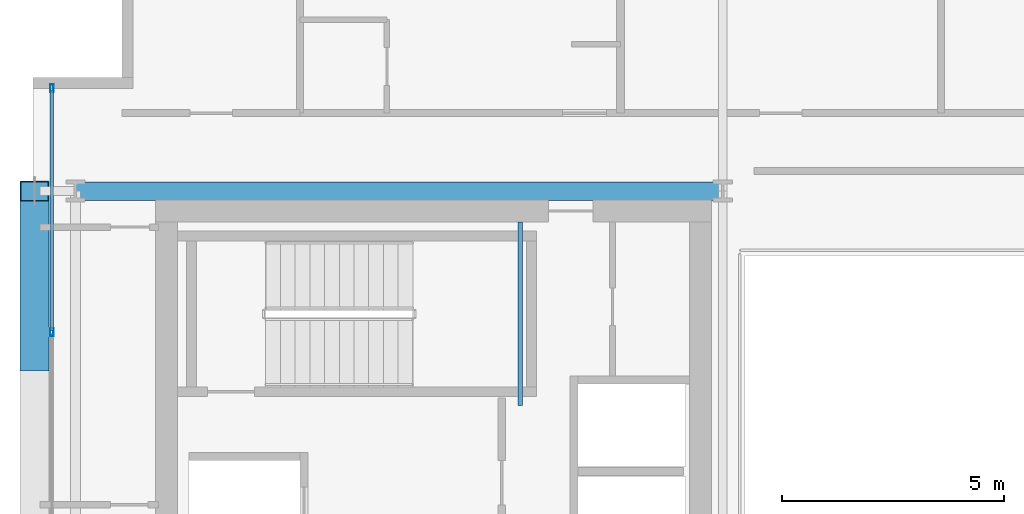
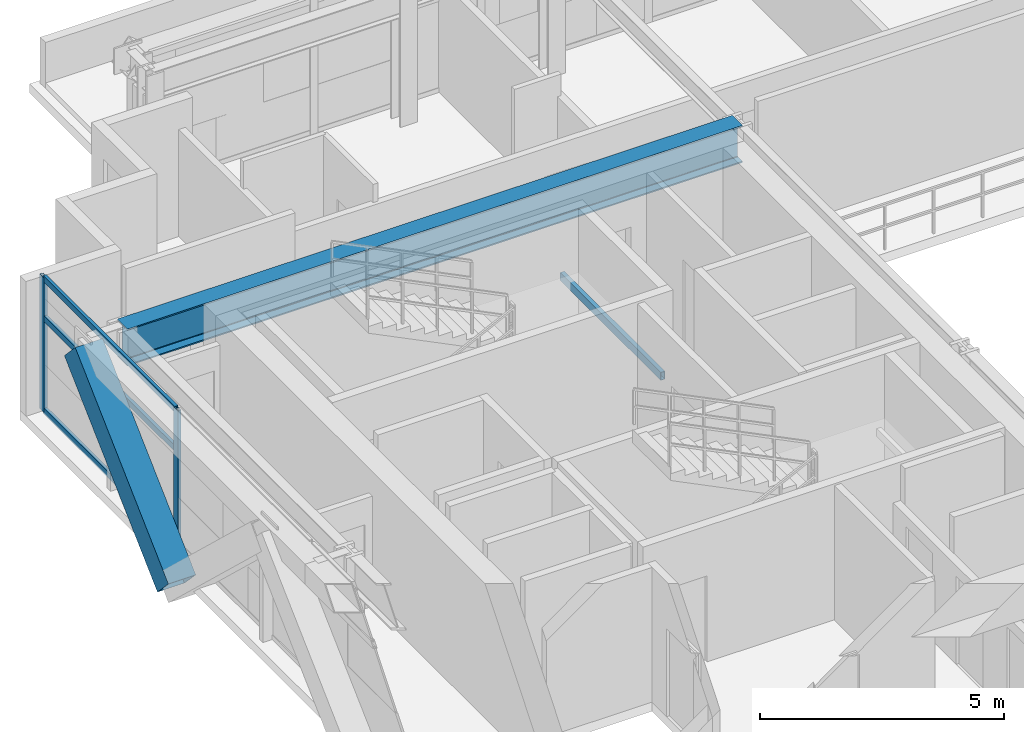
# One storey, part 16 of 34: 6 members, 2 beams, 1 element without a shape of its own.
"""IFC4 building model written with IfcOpenShell, lengths in metres."""

from ifc_helpers import new_model, si_unit, direction, frame, origin, origin_2d, place, context, subcontext, project, spatial, hollow_rectangle, i_section, extrude, source, transform, mapped, material, layer, layer_set, material_profile, profile_set, type_object, element, aggregate, save


model = new_model("IFC4")

# Units and contexts
model_context = context("Model", 3, precision=1e-05, world=origin(), true_north=direction((0.0, 1.0)))
body_context = subcontext(model_context, "Body", "Model", "MODEL_VIEW")
ifc_project = project(units=[si_unit("LENGTHUNIT", "METRE"), si_unit("AREAUNIT", "SQUARE_METRE"), si_unit("VOLUMEUNIT", "CUBIC_METRE"), si_unit("PLANEANGLEUNIT", "RADIAN"), si_unit("MASSUNIT", "GRAM", prefix="KILO")], contexts=[model_context])

# Site, building, storey
site_placement = place(None, origin())
site = spatial("IfcSite", under=ifc_project, at=site_placement, CompositionType="ELEMENT")
building_placement = place(site_placement, origin())
building = spatial("IfcBuilding", under=site, at=building_placement, Name="Ocotamira Hotel", CompositionType="ELEMENT")
storey_placement = place(building_placement, frame((0.0, 0.0, 163.199951171875)))
storey = spatial("IfcBuildingStorey", under=building, at=storey_placement, Name="L40", CompositionType="ELEMENT", Elevation=163.199951171875)

# Beams
ifc_material_1 = material(Name="Steel ASTM A500 Grade C", Category="steel")
ifc_material_profile_1 = material_profile(ifc_material_1, hollow_rectangle(XDim=0.10009765625, YDim=0.199951171875, WallThickness=0.008056640625, at=origin_2d()), Name="HSS200X100X8")
ifc_profile_set_1 = profile_set([ifc_material_profile_1], Name="Steel ASTM A500 Grade C")
beam_type_1 = type_object("IfcBeamType", Name="BM-STLDG-HSS200", PredefinedType="BEAM", material=ifc_profile_set_1)
shared_shape_1 = source(origin(), body_context, "Body", "SweptSolid", [
    extrude(hollow_rectangle(XDim=0.10009765625, YDim=0.199951171875, WallThickness=0.008056640625, at=origin_2d()), origin(), (0.0, 0.0, 1.0), 4.1201171875),
])
beam_1_placement = place(storey_placement, frame((18.949951171875, 32.6298828125, 1.5), z_axis=(0.0, 1.0, 0.0), x_axis=(-1.0, 0.0, 0.0)))
element("IfcBeam", 1, at=beam_1_placement, inside=storey, type_object=beam_type_1, Name="L40 Stair ST-2 Landing Bearer 1", PredefinedType="BEAM", context=body_context, shape_type="MappedRepresentation", body=[
    mapped(shared_shape_1, transform((0.0, 0.0, 0.0), scale=1.0)),
])
ifc_material_2 = material(Name="Steel ASTM A992 Grade 50", Category="steel")
ifc_material_profile_2 = material_profile(ifc_material_2, i_section(OverallWidth=0.41796875, OverallDepth=0.927001953125, WebThickness=0.019287109375, FlangeThickness=0.031982421875, FilletRadius=0.02392578125, at=origin_2d()), Name="W36X231")
ifc_profile_set_2 = profile_set([ifc_material_profile_2], Name="Steel ASTM A992 Grade 50")
beam_type_2 = type_object("IfcBeamType", Name="BM-GIRD-W36X231", PredefinedType="BEAM", material=ifc_profile_set_2)
shared_shape_2 = source(origin(), body_context, "Body", "SweptSolid", [
    extrude(i_section(OverallWidth=0.41796875, OverallDepth=0.927001953125, WebThickness=0.019287109375, FlangeThickness=0.031982421875, FilletRadius=0.02392578125, at=origin_2d()), origin(), (0.0, 0.0, 1.0), 14.550048828125),
])
beam_2_placement = place(storey_placement, frame((8.949951171875, 37.449951171875, 2.906494140625), z_axis=(1.0, 0.0, 0.0), x_axis=(0.0, 1.0, 0.0)))
element("IfcBeam", 2, at=beam_2_placement, inside=storey, type_object=beam_type_2, Name="L40 Girder Y37.45 X8.95-23.5", PredefinedType="BEAM", context=body_context, shape_type="MappedRepresentation", body=[
    mapped(shared_shape_2, transform((0.0, 0.0, 0.0), scale=1.0)),
])

# Member
ifc_material_3 = material(Name="Pale-metal coated steel ASTM A913 Grade 65", Category="steel")
ifc_material_profile_3 = material_profile(ifc_material_3, hollow_rectangle(XDim=0.64990234375, YDim=0.64990234375, WallThickness=0.02197265625, at=origin_2d()), Name="BOX650X650X22")
ifc_profile_set_3 = profile_set([ifc_material_profile_3], Name="Pale-metal coated steel ASTM A913 Grade 65")
member_type_1 = type_object("IfcMemberType", Name="MEM-EXO-BOX650", PredefinedType="BRACE", material=ifc_profile_set_3)
shared_shape_3 = source(origin(), body_context, "Body", "SweptSolid", [
    extrude(hollow_rectangle(XDim=0.64990234375, YDim=0.64990234375, WallThickness=0.02197265625, at=origin_2d()), origin(), (0.0, 0.0, 1.0), 5.24658203125),
])
member_1_placement = place(storey_placement, frame((8.030029296875, 33.63330078125, -0.47998046875), z_axis=(0.0, 0.727442733726, 0.686168397078), x_axis=(-1.0, 0.0, 0.0)))
element("IfcMember", 3, at=member_1_placement, inside=storey, type_object=member_type_1, Name="L40 Exoskeleton Diagrid W2.2", PredefinedType="BRACE", context=body_context, shape_type="MappedRepresentation", body=[
    mapped(shared_shape_3, transform((0.0, 0.0, 0.0), scale=1.0)),
])

# Curtain wall, members
ifc_material_4 = material(Name="Anodised pale-metal aluminium and solar glass", Category="aluminium")
ifc_layer = layer(ifc_material_4, 0.199951171875)
ifc_layer_set = layer_set([ifc_layer], Name="Anodised pale-metal aluminium and solar glass")
curtain_wall_type = type_object("IfcCurtainWallType", Name="CW-SYS4-Z3", PredefinedType="NOTDEFINED", material=ifc_layer_set)
curtain_wall_placement = place(storey_placement, origin())
curtain_wall = element("IfcCurtainWall", 4, at=curtain_wall_placement, inside=storey, type_object=curtain_wall_type, Name="L40 Curtain Wall CW-4 CW-L40-W", PredefinedType="NOTDEFINED")
ifc_material_5 = material(Name="Anodised pale-metal aluminium 6063-T6", Category="aluminium")
ifc_material_profile_4 = material_profile(ifc_material_5, hollow_rectangle(XDim=0.080078125, YDim=0.179931640625, WallThickness=0.006103515625, at=origin_2d()), Name="HSS180X80X6")
ifc_profile_set_4 = profile_set([ifc_material_profile_4], Name="Anodised pale-metal aluminium 6063-T6")
member_type_2 = type_object("IfcMemberType", Name="CWM-180X75", PredefinedType="MULLION", material=ifc_profile_set_4)
shared_shape_4 = source(origin(), body_context, "Body", "SweptSolid", [
    extrude(hollow_rectangle(XDim=0.080078125, YDim=0.179931640625, WallThickness=0.006103515625, at=origin_2d()), origin(), (0.0, 0.0, 1.0), 3.3701171875),
])
member_2_placement = place(storey_placement, frame((8.419921875, 34.280029296875, 0.0), z_axis=(0.0, 0.0, 1.0), x_axis=(-1.0, 0.0, 0.0)))
member_2 = element("IfcMember", 5, at=member_2_placement, type_object=member_type_2, Name="CW-4 mullion 5", PredefinedType="MULLION", context=body_context, shape_type="MappedRepresentation", body=[
    mapped(shared_shape_4, transform((0.0, 0.0, 0.0), scale=1.0)),
])
member_3_placement = place(storey_placement, frame((8.419921875, 39.760009765625, 0.0), z_axis=(0.0, 0.0, 1.0), x_axis=(-1.0, 0.0, 0.0)))
member_3 = element("IfcMember", 6, at=member_3_placement, type_object=member_type_2, Name="CW-4 mullion 6", PredefinedType="MULLION", context=body_context, shape_type="MappedRepresentation", body=[
    mapped(shared_shape_4, transform((0.0, 0.0, 0.0), scale=1.0)),
])
ifc_material_profile_5 = material_profile(ifc_material_5, hollow_rectangle(XDim=0.074951171875, YDim=0.14990234375, WallThickness=0.006103515625, at=origin_2d()), Name="HSS150X75X6")
ifc_profile_set_5 = profile_set([ifc_material_profile_5], Name="Anodised pale-metal aluminium 6063-T6")
member_type_3 = type_object("IfcMemberType", Name="CWT-150X75", PredefinedType="USERDEFINED", material=ifc_profile_set_5)
shared_shape_5 = source(origin(), body_context, "Body", "SweptSolid", [
    extrude(hollow_rectangle(XDim=0.074951171875, YDim=0.14990234375, WallThickness=0.006103515625, at=origin_2d()), origin(), (0.0, 0.0, 1.0), 5.39990234375),
])
member_4_placement = place(storey_placement, frame((8.419921875, 34.320068359375, 0.03759765625), z_axis=(0.0, 1.0, 0.0), x_axis=(-1.0, 0.0, 0.0)))
member_4 = element("IfcMember", 7, at=member_4_placement, type_object=member_type_3, Name="CW-4 transom 5.1", ObjectType="TRANSOM", PredefinedType="USERDEFINED", context=body_context, shape_type="MappedRepresentation", body=[
    mapped(shared_shape_5, transform((0.0, 0.0, 0.0), scale=1.0)),
])
member_5_placement = place(storey_placement, frame((8.419921875, 34.320068359375, 2.35009765625), z_axis=(0.0, 1.0, 0.0), x_axis=(-1.0, 0.0, 0.0)))
member_5 = element("IfcMember", 8, at=member_5_placement, type_object=member_type_3, Name="CW-4 transom 5.2", ObjectType="TRANSOM", PredefinedType="USERDEFINED", context=body_context, shape_type="MappedRepresentation", body=[
    mapped(shared_shape_5, transform((0.0, 0.0, 0.0), scale=1.0)),
])
member_6_placement = place(storey_placement, frame((8.419921875, 34.320068359375, 3.33251953125), z_axis=(0.0, 1.0, 0.0), x_axis=(-1.0, 0.0, 0.0)))
member_6 = element("IfcMember", 9, at=member_6_placement, type_object=member_type_3, Name="CW-4 transom 5.3", ObjectType="TRANSOM", PredefinedType="USERDEFINED", context=body_context, shape_type="MappedRepresentation", body=[
    mapped(shared_shape_5, transform((0.0, 0.0, 0.0), scale=1.0)),
])
aggregate(curtain_wall, [member_2, member_3, member_4, member_5, member_6])

save(model, "model.ifc")
